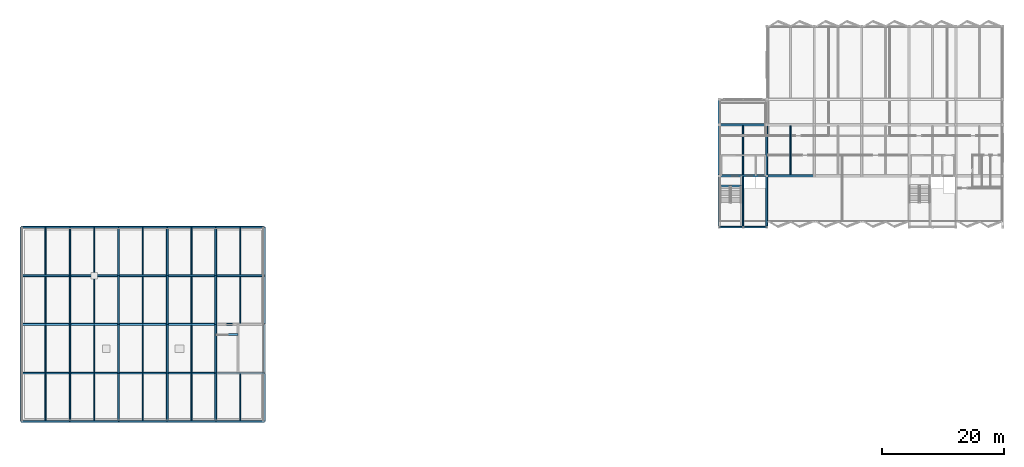
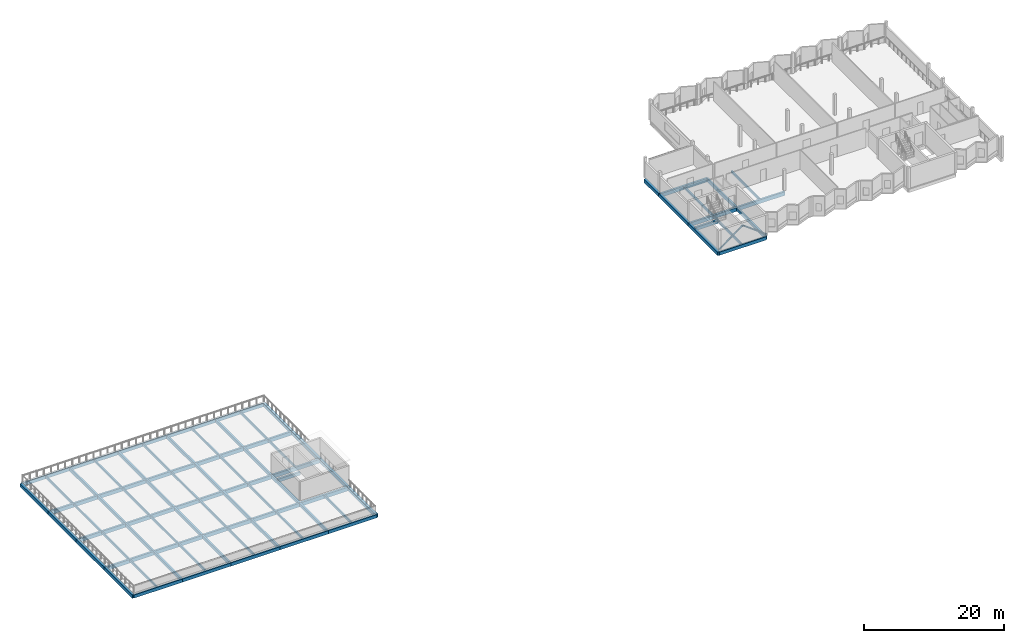
# One storey, part 2 of 15: 82 beams, 2 members.
"""IFC4 building model written with IfcOpenShell, lengths in metres."""

from ifc_helpers import new_model, si_unit, direction, frame, origin, origin_2d, place, context, subcontext, project, spatial, rectangle, hollow_circle, extrude, material, material_profile, profile_set, type_object, element, save


model = new_model("IFC4")

# Units and contexts
model_context = context("Model", 3, precision=1e-05, world=origin(), true_north=direction((0.0, 1.0)))
body_context = subcontext(model_context, "Body", "Model", "MODEL_VIEW")
ifc_project = project(units=[si_unit("LENGTHUNIT", "METRE"), si_unit("AREAUNIT", "SQUARE_METRE"), si_unit("VOLUMEUNIT", "CUBIC_METRE"), si_unit("PLANEANGLEUNIT", "RADIAN"), si_unit("MASSUNIT", "GRAM", prefix="KILO")], contexts=[model_context])

# Site, building, storey
site_placement = place(None, origin())
site = spatial("IfcSite", under=ifc_project, at=site_placement, CompositionType="ELEMENT")
building_placement = place(site_placement, origin())
building = spatial("IfcBuilding", under=site, at=building_placement, Name="Vharandega Faculty of Natural Sciences", CompositionType="ELEMENT")
storey_placement = place(building_placement, frame((0.0, 0.0, 32.39990234375)))
storey = spatial("IfcBuildingStorey", under=building, at=storey_placement, Name="L08", CompositionType="ELEMENT", Elevation=32.39990234375)

# Beams
ifc_material_1 = material(Name="Glulam GL28h", Category="wood")
ifc_material_profile_1 = material_profile(ifc_material_1, rectangle(XDim=0.280029296875, YDim=0.56005859375, at=origin_2d()), Name="GL28h 280x560")
ifc_profile_set_1 = profile_set([ifc_material_profile_1], Name="Glulam GL28h")
beam_type_1 = type_object("IfcBeamType", Name="Glulam Floor Beam 280x560", PredefinedType="BEAM", material=ifc_profile_set_1)
for number, where, z_axis, x_axis, name in (
    (1, (8.0, 32.0, -0.539794921875), (0.0, 1.0, 0.0), (-1.0, 0.0, 0.0), "Beam L08 2/E-F"),
    (2, (8.0, 40.0, -0.539794921875), (0.0, 1.0, 0.0), (-1.0, 0.0, 0.0), "Beam L08 2/F-G"),
    (3, (8.0, 48.0, -0.539794921875), (0.0, 1.0, 0.0), (-1.0, 0.0, 0.0), "Beam L08 2/G-H"),
    (4, (8.0, 56.0, -0.539794921875), (0.0, 1.0, 0.0), (-1.0, 0.0, 0.0), "Beam L08 2/H-J"),
    (5, (16.0, 32.0, -0.539794921875), (0.0, 1.0, 0.0), (-1.0, 0.0, 0.0), "Beam L08 3/E-F"),
    (6, (16.0, 40.0, -0.539794921875), (0.0, 1.0, 0.0), (-1.0, 0.0, 0.0), "Beam L08 3/F-G"),
    (7, (16.0, 48.0, -0.539794921875), (0.0, 1.0, 0.0), (-1.0, 0.0, 0.0), "Beam L08 3/G-H"),
    (8, (16.0, 56.0, -0.539794921875), (0.0, 1.0, 0.0), (-1.0, 0.0, 0.0), "Beam L08 3/H-J"),
    (9, (24.0, 32.0, -0.539794921875), (0.0, 1.0, 0.0), (-1.0, 0.0, 0.0), "Beam L08 4/E-F"),
    (10, (24.0, 40.0, -0.539794921875), (0.0, 1.0, 0.0), (-1.0, 0.0, 0.0), "Beam L08 4/F-G"),
    (11, (24.0, 48.0, -0.539794921875), (0.0, 1.0, 0.0), (-1.0, 0.0, 0.0), "Beam L08 4/G-H"),
    (12, (24.0, 56.0, -0.539794921875), (0.0, 1.0, 0.0), (-1.0, 0.0, 0.0), "Beam L08 4/H-J"),
    (13, (32.0, 32.0, -0.539794921875), (0.0, 1.0, 0.0), (-1.0, 0.0, 0.0), "Beam L08 5/E-F"),
    (14, (32.0, 40.0, -0.539794921875), (0.0, 1.0, 0.0), (-1.0, 0.0, 0.0), "Beam L08 5/F-G"),
    (15, (32.0, 48.0, -0.539794921875), (0.0, 1.0, 0.0), (-1.0, 0.0, 0.0), "Beam L08 5/G-H"),
    (16, (32.0, 56.0, -0.539794921875), (0.0, 1.0, 0.0), (-1.0, 0.0, 0.0), "Beam L08 5/H-J"),
):
    element("IfcBeam", number, at=place(storey_placement, frame(where, z_axis=z_axis, x_axis=x_axis)), inside=storey, type_object=beam_type_1, Name=name, PredefinedType="BEAM", context=body_context, shape_type="SweptSolid", body=[
        extrude(rectangle(XDim=0.280029296875, YDim=0.56005859375, at=origin_2d()), origin(), (0.0, 0.0, 1.0), 8.0),
    ])
beam_1_placement = place(storey_placement, frame((122.60009765625, 64.0, -0.5), z_axis=(0.0, 1.0, 0.0), x_axis=(-1.0, 0.0, 0.0)))
element("IfcBeam", 17, at=beam_1_placement, inside=storey, type_object=beam_type_1, Name="Beam L08 16/J-K", PredefinedType="BEAM", context=body_context, shape_type="SweptSolid", body=[
    extrude(rectangle(XDim=0.280029296875, YDim=0.56005859375, at=origin_2d()), origin(), (0.0, 0.0, 1.0), 8.39990234375),
])
beam_2_placement = place(storey_placement, frame((122.60009765625, 72.39990234375, -0.5), z_axis=(0.0, 1.0, 0.0), x_axis=(-1.0, 0.0, 0.0)))
element("IfcBeam", 18, at=beam_2_placement, inside=storey, type_object=beam_type_1, Name="Beam L08 16/K-L", PredefinedType="BEAM", context=body_context, shape_type="SweptSolid", body=[
    extrude(rectangle(XDim=0.280029296875, YDim=0.56005859375, at=origin_2d()), origin(), (0.0, 0.0, 1.0), 8.400146484375),
])
ifc_material_2 = material(Name="Glulam GL28h", Category="wood")
ifc_material_profile_2 = material_profile(ifc_material_2, rectangle(XDim=0.320068359375, YDim=0.639892578125, at=origin_2d()), Name="GL28h 320x640")
ifc_profile_set_2 = profile_set([ifc_material_profile_2], Name="Glulam GL28h")
beam_type_2 = type_object("IfcBeamType", Name="Glulam Floor Beam 320x640", PredefinedType="BEAM", material=ifc_profile_set_2)
for number, where, z_axis, x_axis, name in (
    (19, (0.0, 40.0, -0.579833984375), (1.0, 0.0, 0.0), (0.0, 1.0, 0.0), "Beam L08 F/1-2"),
    (20, (8.0, 40.0, -0.579833984375), (1.0, 0.0, 0.0), (0.0, 1.0, 0.0), "Beam L08 F/2-3"),
    (21, (16.0, 40.0, -0.579833984375), (1.0, 0.0, 0.0), (0.0, 1.0, 0.0), "Beam L08 F/3-4"),
    (22, (24.0, 40.0, -0.579833984375), (1.0, 0.0, 0.0), (0.0, 1.0, 0.0), "Beam L08 F/4-5"),
    (23, (32.0, 40.0, -0.579833984375), (1.0, 0.0, 0.0), (0.0, 1.0, 0.0), "Beam L08 F/5-6"),
    (24, (0.0, 48.0, -0.579833984375), (1.0, 0.0, 0.0), (0.0, 1.0, 0.0), "Beam L08 G/1-2"),
    (25, (8.0, 48.0, -0.579833984375), (1.0, 0.0, 0.0), (0.0, 1.0, 0.0), "Beam L08 G/2-3"),
    (26, (16.0, 48.0, -0.579833984375), (1.0, 0.0, 0.0), (0.0, 1.0, 0.0), "Beam L08 G/3-4"),
    (27, (24.0, 48.0, -0.579833984375), (1.0, 0.0, 0.0), (0.0, 1.0, 0.0), "Beam L08 G/4-5"),
    (28, (32.0, 48.0, -0.579833984375), (1.0, 0.0, 0.0), (0.0, 1.0, 0.0), "Beam L08 G/5-6"),
    (29, (0.0, 56.0, -0.579833984375), (1.0, 0.0, 0.0), (0.0, 1.0, 0.0), "Beam L08 H/1-2"),
    (30, (8.0, 56.0, -0.579833984375), (1.0, 0.0, 0.0), (0.0, 1.0, 0.0), "Beam L08 H/2-3"),
    (31, (16.0, 56.0, -0.579833984375), (1.0, 0.0, 0.0), (0.0, 1.0, 0.0), "Beam L08 H/3-4"),
    (32, (24.0, 56.0, -0.579833984375), (1.0, 0.0, 0.0), (0.0, 1.0, 0.0), "Beam L08 H/4-5"),
    (33, (32.0, 56.0, -0.579833984375), (1.0, 0.0, 0.0), (0.0, 1.0, 0.0), "Beam L08 H/5-6"),
):
    element("IfcBeam", number, at=place(storey_placement, frame(where, z_axis=z_axis, x_axis=x_axis)), inside=storey, type_object=beam_type_2, Name=name, PredefinedType="BEAM", context=body_context, shape_type="SweptSolid", body=[
        extrude(rectangle(XDim=0.320068359375, YDim=0.639892578125, at=origin_2d()), origin(), (0.0, 0.0, 1.0), 8.0),
    ])
beam_3_placement = place(storey_placement, frame((114.800048828125, 72.39990234375, -0.539794921875), z_axis=(1.0, 0.0, 0.0), x_axis=(0.0, 1.0, 0.0)))
element("IfcBeam", 34, at=beam_3_placement, inside=storey, type_object=beam_type_2, Name="Beam L08 K/15-16", PredefinedType="BEAM", context=body_context, shape_type="SweptSolid", body=[
    extrude(rectangle(XDim=0.320068359375, YDim=0.639892578125, at=origin_2d()), origin(), (0.0, 0.0, 1.0), 7.800048828125),
])
beam_4_placement = place(storey_placement, frame((122.60009765625, 72.39990234375, -0.539794921875), z_axis=(1.0, 0.0, 0.0), x_axis=(0.0, 1.0, 0.0)))
element("IfcBeam", 35, at=beam_4_placement, inside=storey, type_object=beam_type_2, Name="Beam L08 K/16-17", PredefinedType="BEAM", context=body_context, shape_type="SweptSolid", body=[
    extrude(rectangle(XDim=0.320068359375, YDim=0.639892578125, at=origin_2d()), origin(), (0.0, 0.0, 1.0), 7.7998046875),
])
beam_5_placement = place(storey_placement, frame((114.800048828125, 80.800048828125, -0.539794921875), z_axis=(1.0, 0.0, 0.0), x_axis=(0.0, 1.0, 0.0)))
element("IfcBeam", 36, at=beam_5_placement, inside=storey, type_object=beam_type_2, Name="Beam L08 L/15-16", PredefinedType="BEAM", context=body_context, shape_type="SweptSolid", body=[
    extrude(rectangle(XDim=0.320068359375, YDim=0.639892578125, at=origin_2d()), origin(), (0.0, 0.0, 1.0), 7.800048828125),
])
ifc_material_3 = material(Name="Glulam GL28h", Category="wood")
ifc_material_profile_3 = material_profile(ifc_material_3, rectangle(XDim=0.199951171875, YDim=0.39990234375, at=origin_2d()), Name="GL28h 200x400")
ifc_profile_set_3 = profile_set([ifc_material_profile_3], Name="Glulam GL28h")
beam_type_3 = type_object("IfcBeamType", Name="Glulam Secondary Joist 200x400", PredefinedType="JOIST", material=ifc_profile_set_3)
beam_6_placement = place(storey_placement, frame((4.0, 32.1201171875, -0.4599609375), z_axis=(0.0, 1.0, 0.0), x_axis=(-1.0, 0.0, 0.0)))
element("IfcBeam", 37, at=beam_6_placement, inside=storey, type_object=beam_type_3, Name="Secondary Joist L08 1-2/E-F", PredefinedType="JOIST", context=body_context, shape_type="SweptSolid", body=[
    extrude(rectangle(XDim=0.199951171875, YDim=0.39990234375, at=origin_2d()), origin(), (0.0, 0.0, 1.0), 7.719970703125),
])
for number, where, z_axis, x_axis, name in (
    (38, (4.0, 40.159912109375, -0.4599609375), (0.0, 1.0, 0.0), (-1.0, 0.0, 0.0), "Secondary Joist L08 1-2/F-G"),
    (39, (4.0, 48.159912109375, -0.4599609375), (0.0, 1.0, 0.0), (-1.0, 0.0, 0.0), "Secondary Joist L08 1-2/G-H"),
):
    element("IfcBeam", number, at=place(storey_placement, frame(where, z_axis=z_axis, x_axis=x_axis)), inside=storey, type_object=beam_type_3, Name=name, PredefinedType="JOIST", context=body_context, shape_type="SweptSolid", body=[
        extrude(rectangle(XDim=0.199951171875, YDim=0.39990234375, at=origin_2d()), origin(), (0.0, 0.0, 1.0), 7.68017578125),
    ])
for number, where, z_axis, x_axis, name in (
    (40, (4.0, 56.159912109375, -0.4599609375), (0.0, 1.0, 0.0), (-1.0, 0.0, 0.0), "Secondary Joist L08 1-2/H-J"),
    (41, (12.0, 32.1201171875, -0.4599609375), (0.0, 1.0, 0.0), (-1.0, 0.0, 0.0), "Secondary Joist L08 2-3/E-F"),
):
    element("IfcBeam", number, at=place(storey_placement, frame(where, z_axis=z_axis, x_axis=x_axis)), inside=storey, type_object=beam_type_3, Name=name, PredefinedType="JOIST", context=body_context, shape_type="SweptSolid", body=[
        extrude(rectangle(XDim=0.199951171875, YDim=0.39990234375, at=origin_2d()), origin(), (0.0, 0.0, 1.0), 7.719970703125),
    ])
for number, where, z_axis, x_axis, name in (
    (42, (12.0, 40.159912109375, -0.4599609375), (0.0, 1.0, 0.0), (-1.0, 0.0, 0.0), "Secondary Joist L08 2-3/F-G"),
    (43, (12.0, 48.159912109375, -0.4599609375), (0.0, 1.0, 0.0), (-1.0, 0.0, 0.0), "Secondary Joist L08 2-3/G-H"),
):
    element("IfcBeam", number, at=place(storey_placement, frame(where, z_axis=z_axis, x_axis=x_axis)), inside=storey, type_object=beam_type_3, Name=name, PredefinedType="JOIST", context=body_context, shape_type="SweptSolid", body=[
        extrude(rectangle(XDim=0.199951171875, YDim=0.39990234375, at=origin_2d()), origin(), (0.0, 0.0, 1.0), 7.68017578125),
    ])
for number, where, z_axis, x_axis, name in (
    (44, (12.0, 56.159912109375, -0.4599609375), (0.0, 1.0, 0.0), (-1.0, 0.0, 0.0), "Secondary Joist L08 2-3/H-J"),
    (45, (20.0, 32.1201171875, -0.4599609375), (0.0, 1.0, 0.0), (-1.0, 0.0, 0.0), "Secondary Joist L08 3-4/E-F"),
):
    element("IfcBeam", number, at=place(storey_placement, frame(where, z_axis=z_axis, x_axis=x_axis)), inside=storey, type_object=beam_type_3, Name=name, PredefinedType="JOIST", context=body_context, shape_type="SweptSolid", body=[
        extrude(rectangle(XDim=0.199951171875, YDim=0.39990234375, at=origin_2d()), origin(), (0.0, 0.0, 1.0), 7.719970703125),
    ])
for number, where, z_axis, x_axis, name in (
    (46, (20.0, 40.159912109375, -0.4599609375), (0.0, 1.0, 0.0), (-1.0, 0.0, 0.0), "Secondary Joist L08 3-4/F-G"),
    (47, (20.0, 48.159912109375, -0.4599609375), (0.0, 1.0, 0.0), (-1.0, 0.0, 0.0), "Secondary Joist L08 3-4/G-H"),
):
    element("IfcBeam", number, at=place(storey_placement, frame(where, z_axis=z_axis, x_axis=x_axis)), inside=storey, type_object=beam_type_3, Name=name, PredefinedType="JOIST", context=body_context, shape_type="SweptSolid", body=[
        extrude(rectangle(XDim=0.199951171875, YDim=0.39990234375, at=origin_2d()), origin(), (0.0, 0.0, 1.0), 7.68017578125),
    ])
for number, where, z_axis, x_axis, name in (
    (48, (20.0, 56.159912109375, -0.4599609375), (0.0, 1.0, 0.0), (-1.0, 0.0, 0.0), "Secondary Joist L08 3-4/H-J"),
    (49, (28.0, 32.1201171875, -0.4599609375), (0.0, 1.0, 0.0), (-1.0, 0.0, 0.0), "Secondary Joist L08 4-5/E-F"),
):
    element("IfcBeam", number, at=place(storey_placement, frame(where, z_axis=z_axis, x_axis=x_axis)), inside=storey, type_object=beam_type_3, Name=name, PredefinedType="JOIST", context=body_context, shape_type="SweptSolid", body=[
        extrude(rectangle(XDim=0.199951171875, YDim=0.39990234375, at=origin_2d()), origin(), (0.0, 0.0, 1.0), 7.719970703125),
    ])
for number, where, z_axis, x_axis, name in (
    (50, (28.0, 40.159912109375, -0.4599609375), (0.0, 1.0, 0.0), (-1.0, 0.0, 0.0), "Secondary Joist L08 4-5/F-G"),
    (51, (28.0, 48.159912109375, -0.4599609375), (0.0, 1.0, 0.0), (-1.0, 0.0, 0.0), "Secondary Joist L08 4-5/G-H"),
):
    element("IfcBeam", number, at=place(storey_placement, frame(where, z_axis=z_axis, x_axis=x_axis)), inside=storey, type_object=beam_type_3, Name=name, PredefinedType="JOIST", context=body_context, shape_type="SweptSolid", body=[
        extrude(rectangle(XDim=0.199951171875, YDim=0.39990234375, at=origin_2d()), origin(), (0.0, 0.0, 1.0), 7.68017578125),
    ])
for number, where, z_axis, x_axis, name in (
    (52, (28.0, 56.159912109375, -0.4599609375), (0.0, 1.0, 0.0), (-1.0, 0.0, 0.0), "Secondary Joist L08 4-5/H-J"),
    (53, (36.0, 32.1201171875, -0.4599609375), (0.0, 1.0, 0.0), (-1.0, 0.0, 0.0), "Secondary Joist L08 5-6/E-F"),
):
    element("IfcBeam", number, at=place(storey_placement, frame(where, z_axis=z_axis, x_axis=x_axis)), inside=storey, type_object=beam_type_3, Name=name, PredefinedType="JOIST", context=body_context, shape_type="SweptSolid", body=[
        extrude(rectangle(XDim=0.199951171875, YDim=0.39990234375, at=origin_2d()), origin(), (0.0, 0.0, 1.0), 7.719970703125),
    ])
beam_7_placement = place(storey_placement, frame((36.0, 48.159912109375, -0.4599609375), z_axis=(0.0, 1.0, 0.0), x_axis=(-1.0, 0.0, 0.0)))
element("IfcBeam", 54, at=beam_7_placement, inside=storey, type_object=beam_type_3, Name="Secondary Joist L08 5-6/G-H", PredefinedType="JOIST", context=body_context, shape_type="SweptSolid", body=[
    extrude(rectangle(XDim=0.199951171875, YDim=0.39990234375, at=origin_2d()), origin(), (0.0, 0.0, 1.0), 7.68017578125),
])
beam_8_placement = place(storey_placement, frame((36.0, 56.159912109375, -0.4599609375), z_axis=(0.0, 1.0, 0.0), x_axis=(-1.0, 0.0, 0.0)))
element("IfcBeam", 55, at=beam_8_placement, inside=storey, type_object=beam_type_3, Name="Secondary Joist L08 5-6/H-J", PredefinedType="JOIST", context=body_context, shape_type="SweptSolid", body=[
    extrude(rectangle(XDim=0.199951171875, YDim=0.39990234375, at=origin_2d()), origin(), (0.0, 0.0, 1.0), 7.719970703125),
])
beam_9_placement = place(storey_placement, frame((118.699951171875, 64.1201171875, -0.419921875), z_axis=(0.0, 1.0, 0.0), x_axis=(-1.0, 0.0, 0.0)))
element("IfcBeam", 56, at=beam_9_placement, inside=storey, type_object=beam_type_3, Name="Secondary Joist L08 15-16/J-K", PredefinedType="JOIST", context=body_context, shape_type="SweptSolid", body=[
    extrude(rectangle(XDim=0.199951171875, YDim=0.39990234375, at=origin_2d()), origin(), (0.0, 0.0, 1.0), 8.119873046875),
])
for number, where, z_axis, x_axis, name in (
    (57, (118.699951171875, 72.56005859375, -0.419921875), (0.0, 1.0, 0.0), (-1.0, 0.0, 0.0), "Secondary Joist L08 15-16/K-L"),
    (58, (126.5, 72.56005859375, -0.419921875), (0.0, 1.0, 0.0), (-1.0, 0.0, 0.0), "Secondary Joist L08 16-17/K-L"),
):
    element("IfcBeam", number, at=place(storey_placement, frame(where, z_axis=z_axis, x_axis=x_axis)), inside=storey, type_object=beam_type_3, Name=name, PredefinedType="JOIST", context=body_context, shape_type="SweptSolid", body=[
        extrude(rectangle(XDim=0.199951171875, YDim=0.39990234375, at=origin_2d()), origin(), (0.0, 0.0, 1.0), 8.079833984375),
    ])
ifc_material_4 = material(Name="Glulam GL28h", Category="wood")
ifc_material_profile_4 = material_profile(ifc_material_4, rectangle(XDim=0.239990234375, YDim=0.56005859375, at=origin_2d()), Name="GL28h 240x560")
ifc_profile_set_4 = profile_set([ifc_material_profile_4], Name="Glulam GL28h")
beam_type_4 = type_object("IfcBeamType", Name="Glulam Spandrel Edge Beam 240x560", PredefinedType="SPANDREL", material=ifc_profile_set_4)
for number, where, z_axis, x_axis, name in (
    (59, (0.0, 32.0, -0.539794921875), (1.0, 0.0, 0.0), (0.0, 1.0, 0.0), "Beam L08 E/1-2"),
    (60, (8.0, 32.0, -0.539794921875), (1.0, 0.0, 0.0), (0.0, 1.0, 0.0), "Beam L08 E/2-3"),
    (61, (16.0, 32.0, -0.539794921875), (1.0, 0.0, 0.0), (0.0, 1.0, 0.0), "Beam L08 E/3-4"),
    (62, (24.0, 32.0, -0.539794921875), (1.0, 0.0, 0.0), (0.0, 1.0, 0.0), "Beam L08 E/4-5"),
    (63, (32.0, 32.0, -0.539794921875), (1.0, 0.0, 0.0), (0.0, 1.0, 0.0), "Beam L08 E/5-6"),
    (64, (0.0, 64.0, -0.539794921875), (1.0, 0.0, 0.0), (0.0, 1.0, 0.0), "Beam L08 J/1-2"),
    (65, (8.0, 64.0, -0.539794921875), (1.0, 0.0, 0.0), (0.0, 1.0, 0.0), "Beam L08 J/2-3"),
    (66, (16.0, 64.0, -0.539794921875), (1.0, 0.0, 0.0), (0.0, 1.0, 0.0), "Beam L08 J/3-4"),
    (67, (24.0, 64.0, -0.539794921875), (1.0, 0.0, 0.0), (0.0, 1.0, 0.0), "Beam L08 J/4-5"),
    (68, (32.0, 64.0, -0.539794921875), (1.0, 0.0, 0.0), (0.0, 1.0, 0.0), "Beam L08 J/5-6"),
):
    element("IfcBeam", number, at=place(storey_placement, frame(where, z_axis=z_axis, x_axis=x_axis)), inside=storey, type_object=beam_type_4, Name=name, PredefinedType="SPANDREL", context=body_context, shape_type="SweptSolid", body=[
        extrude(rectangle(XDim=0.239990234375, YDim=0.56005859375, at=origin_2d()), origin(), (0.0, 0.0, 1.0), 8.0),
    ])
beam_10_placement = place(storey_placement, frame((114.800048828125, 64.0, -0.5), z_axis=(1.0, 0.0, 0.0), x_axis=(0.0, 1.0, 0.0)))
element("IfcBeam", 69, at=beam_10_placement, inside=storey, type_object=beam_type_4, Name="Beam L08 J/15-16", PredefinedType="SPANDREL", context=body_context, shape_type="SweptSolid", body=[
    extrude(rectangle(XDim=0.239990234375, YDim=0.56005859375, at=origin_2d()), origin(), (0.0, 0.0, 1.0), 7.800048828125),
])
ifc_material_5 = material(Name="Glulam GL32h", Category="wood")
ifc_material_profile_5 = material_profile(ifc_material_5, rectangle(XDim=0.39990234375, YDim=0.60009765625, at=origin_2d()), Name="GL32h 400x600")
ifc_profile_set_5 = profile_set([ifc_material_profile_5], Name="Glulam GL32h")
beam_type_5 = type_object("IfcBeamType", Name="Glulam Spine Girder 400x600", PredefinedType="BEAM", material=ifc_profile_set_5)
for number, where, z_axis, x_axis, name in (
    (70, (0.0, 32.0, -0.559814453125), (0.0, 1.0, 0.0), (-1.0, 0.0, 0.0), "Beam L08 1/E-F"),
    (71, (0.0, 40.0, -0.559814453125), (0.0, 1.0, 0.0), (-1.0, 0.0, 0.0), "Beam L08 1/F-G"),
    (72, (0.0, 48.0, -0.559814453125), (0.0, 1.0, 0.0), (-1.0, 0.0, 0.0), "Beam L08 1/G-H"),
    (73, (0.0, 56.0, -0.559814453125), (0.0, 1.0, 0.0), (-1.0, 0.0, 0.0), "Beam L08 1/H-J"),
    (74, (40.0, 32.0, -0.559814453125), (0.0, 1.0, 0.0), (-1.0, 0.0, 0.0), "Beam L08 6/E-F"),
    (75, (40.0, 40.0, -0.559814453125), (0.0, 1.0, 0.0), (-1.0, 0.0, 0.0), "Beam L08 6/F-G"),
    (76, (40.0, 48.0, -0.559814453125), (0.0, 1.0, 0.0), (-1.0, 0.0, 0.0), "Beam L08 6/G-H"),
    (77, (40.0, 56.0, -0.559814453125), (0.0, 1.0, 0.0), (-1.0, 0.0, 0.0), "Beam L08 6/H-J"),
):
    element("IfcBeam", number, at=place(storey_placement, frame(where, z_axis=z_axis, x_axis=x_axis)), inside=storey, type_object=beam_type_5, Name=name, PredefinedType="BEAM", context=body_context, shape_type="SweptSolid", body=[
        extrude(rectangle(XDim=0.39990234375, YDim=0.60009765625, at=origin_2d()), origin(), (0.0, 0.0, 1.0), 8.0),
    ])
beam_11_placement = place(storey_placement, frame((114.800048828125, 64.0, -0.52001953125), z_axis=(0.0, 1.0, 0.0), x_axis=(-1.0, 0.0, 0.0)))
element("IfcBeam", 78, at=beam_11_placement, inside=storey, type_object=beam_type_5, Name="Beam L08 15/J-K", PredefinedType="BEAM", context=body_context, shape_type="SweptSolid", body=[
    extrude(rectangle(XDim=0.39990234375, YDim=0.60009765625, at=origin_2d()), origin(), (0.0, 0.0, 1.0), 8.39990234375),
])
beam_12_placement = place(storey_placement, frame((114.800048828125, 72.39990234375, -0.52001953125), z_axis=(0.0, 1.0, 0.0), x_axis=(-1.0, 0.0, 0.0)))
element("IfcBeam", 79, at=beam_12_placement, inside=storey, type_object=beam_type_5, Name="Beam L08 15/K-L", PredefinedType="BEAM", context=body_context, shape_type="SweptSolid", body=[
    extrude(rectangle(XDim=0.39990234375, YDim=0.60009765625, at=origin_2d()), origin(), (0.0, 0.0, 1.0), 8.400146484375),
])
beam_13_placement = place(storey_placement, frame((114.800048828125, 80.800048828125, -0.52001953125), z_axis=(0.0, 1.0, 0.0), x_axis=(-1.0, 0.0, 0.0)))
element("IfcBeam", 80, at=beam_13_placement, inside=storey, type_object=beam_type_5, Name="Beam L08 15/L-M", PredefinedType="BEAM", context=body_context, shape_type="SweptSolid", body=[
    extrude(rectangle(XDim=0.39990234375, YDim=0.60009765625, at=origin_2d()), origin(), (0.0, 0.0, 1.0), 4.199951171875),
])

# Members
ifc_material_6 = material(Name="Steel S355", Category="steel")
ifc_material_profile_6 = material_profile(ifc_material_6, hollow_circle(Radius=0.136474609375, WallThickness=0.01611328125, at=origin_2d()), Name="CHS 273x16")
ifc_profile_set_6 = profile_set([ifc_material_profile_6], Name="Steel S355")
member_type = type_object("IfcMemberType", Name="Perimeter Chevron Brace CHS 273", PredefinedType="BRACE", material=ifc_profile_set_6)
member_1_placement = place(storey_placement, frame((114.800048828125, 64.0, 0.150146484375), z_axis=(0.80246480806, 0.0, 0.596699448487), x_axis=(0.0, 1.0, 0.0)))
element("IfcMember", 81, at=member_1_placement, inside=storey, type_object=member_type, Name="Chevron Brace J L08-1", PredefinedType="BRACE", context=body_context, shape_type="SweptSolid", body=[
    extrude(hollow_circle(Radius=0.136474609375, WallThickness=0.01611328125, at=origin_2d()), origin(), (0.0, 0.0, 1.0), 4.85986328125),
])
member_2_placement = place(storey_placement, frame((122.60009765625, 64.0, 0.150146484375), z_axis=(-0.802482693405, 0.0, 0.596675394821), x_axis=(0.0, -1.0, 0.0)))
element("IfcMember", 82, at=member_2_placement, inside=storey, type_object=member_type, Name="Chevron Brace J L08-2", PredefinedType="BRACE", context=body_context, shape_type="SweptSolid", body=[
    extrude(hollow_circle(Radius=0.136474609375, WallThickness=0.01611328125, at=origin_2d()), origin(), (0.0, 0.0, 1.0), 4.860107421875),
])

# Beams
ifc_material_7 = material(Name="Concrete C40/50", Category="concrete")
ifc_material_profile_7 = material_profile(ifc_material_7, rectangle(XDim=0.35009765625, YDim=0.550048828125, at=origin_2d()), Name="RC 350x550")
ifc_profile_set_7 = profile_set([ifc_material_profile_7], Name="Concrete C40/50")
beam_type_6 = type_object("IfcBeamType", Name="Stair Header Trimmer Beam 350x550", PredefinedType="BEAM", material=ifc_profile_set_7)
for number, where, z_axis, x_axis, name in (
    (83, (114.800048828125, 70.75, -0.27490234375), (1.0, 0.0, 0.0), (0.0, 1.0, 0.0), "Stair Landing Trimmer Beam C1 L08"),
    (84, (32.0, 46.35009765625, -0.27490234375), (1.0, 0.0, 0.0), (0.0, 1.0, 0.0), "Stair Landing Trimmer Beam C3 L08"),
):
    element("IfcBeam", number, at=place(storey_placement, frame(where, z_axis=z_axis, x_axis=x_axis)), inside=storey, type_object=beam_type_6, Name=name, PredefinedType="BEAM", context=body_context, shape_type="SweptSolid", body=[
        extrude(rectangle(XDim=0.35009765625, YDim=0.550048828125, at=origin_2d()), origin(), (0.0, 0.0, 1.0), 3.639892578125),
    ])

save(model, "model.ifc")
